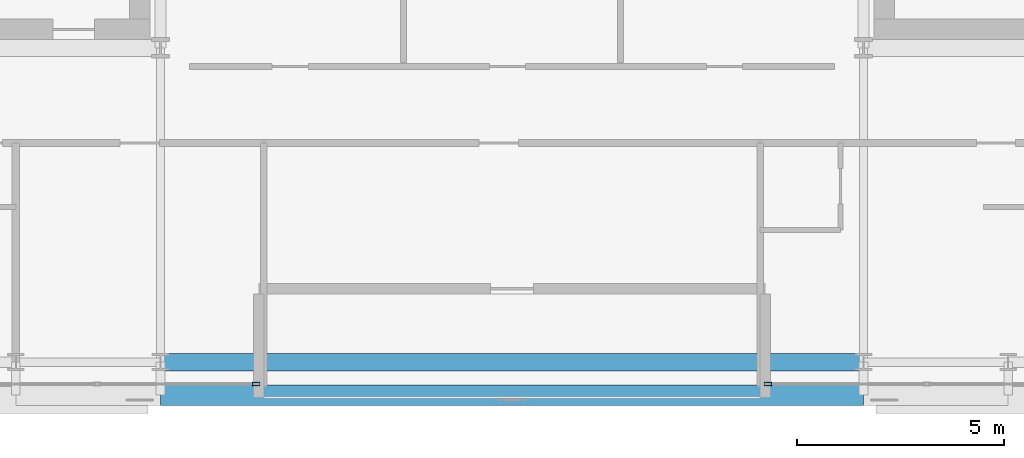
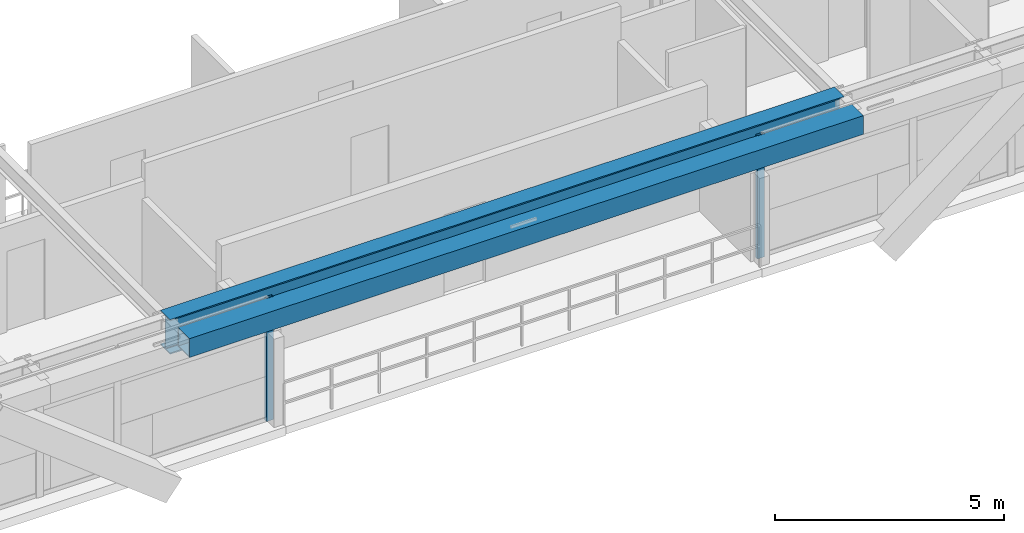
# One storey, part 6 of 32: 2 beams, 2 members, 2 elements without a shape of their own.
"""IFC4 building model written with IfcOpenShell, lengths in metres."""

import ifcopenshell
import ifcopenshell.guid

model = None  # the IFC model being written
_history = None  # IfcOwnerHistory: only IFC2X3 demands one
_inside = {}  # id of a spatial element -> (the spatial element, [elements in it])
_under = {}  # id of a project, library or spatial element -> (it, [spatial elements below it])
_declared = {}  # id of a project -> (the project, [libraries it declares])
_typed = {}  # id of a type object -> (the type object, [elements of that type])
_made_of = {}  # id of a material, layer set ... -> (it, [elements and type objects made of it])


def new_model(schema):
    """Start an empty IFC model of exactly this schema.

    Asked for "IFC4X3", IfcOpenShell would pick the latest addendum, in which some entities
    have other attributes; the version numbers below select the first issue.
    IFC2X3 requires an IfcOwnerHistory on every rooted entity: one is made here for all.
    """
    global model, _history
    if schema == "IFC4X3":
        model = ifcopenshell.file(schema_version=(4, 3, 0, 0))
    else:
        model = ifcopenshell.file(schema=schema)
    _inside.clear()
    _under.clear()
    _declared.clear()
    _typed.clear()
    _made_of.clear()
    _history = None
    if model.schema == "IFC2X3":
        org = make("IfcOrganization", Name="unknown")
        user = make(
            "IfcPersonAndOrganization",
            ThePerson=make("IfcPerson", FamilyName="unknown"),
            TheOrganization=org,
        )
        app = make(
            "IfcApplication",
            ApplicationDeveloper=org,
            Version="unknown",
            ApplicationFullName="unknown",
            ApplicationIdentifier="unknown",
        )
        _history = make(
            "IfcOwnerHistory",
            OwningUser=user,
            OwningApplication=app,
            ChangeAction="ADDED",
            CreationDate=0,
        )
    return model


def make(cls, **values):
    """One entity of the class cls with the attributes given. An attribute that is None is left unset."""
    return model.create_entity(
        cls, **{name: value for name, value in values.items() if value is not None}
    )


def rooted(cls, **values):
    """An entity with a GlobalId (a new one), such as an element, a storey or a relation."""
    return make(cls, GlobalId=ifcopenshell.guid.new(), OwnerHistory=_history, **values)


def si_unit(unit_type, name, prefix=None):
    """IfcSIUnit, for example si_unit("LENGTHUNIT", "METRE", prefix="MILLI")."""
    return make("IfcSIUnit", UnitType=unit_type, Prefix=prefix, Name=name)


def assignment(units):
    """IfcUnitAssignment: the units of a project."""
    return None if units is None else make("IfcUnitAssignment", Units=units)


def point(xyz):
    """IfcCartesianPoint."""
    return None if xyz is None else make("IfcCartesianPoint", Coordinates=xyz)


def direction(xyz):
    """IfcDirection."""
    return None if xyz is None else make("IfcDirection", DirectionRatios=xyz)


def frame(location, z_axis=None, x_axis=None):
    """IfcAxis2Placement3D, a coordinate frame: its origin and axes. An axis left out is left unset."""
    return make(
        "IfcAxis2Placement3D",
        Location=point(location),
        Axis=direction(z_axis),
        RefDirection=direction(x_axis),
    )


def frame_2d(location, x_axis=None):
    """IfcAxis2Placement2D, a coordinate frame in the plane: its origin and x axis."""
    return make(
        "IfcAxis2Placement2D", Location=point(location), RefDirection=direction(x_axis)
    )


def origin():
    """The frame at (0, 0, 0) with its axes left unset."""
    return frame((0.0, 0.0, 0.0))


def origin_2d():
    """The frame at (0, 0) in the plane with its x axis left unset."""
    return frame_2d((0.0, 0.0))


def place(relative_to, where):
    """IfcLocalPlacement: puts the frame where relative to a parent placement (None: the world)."""
    return make(
        "IfcLocalPlacement", PlacementRelTo=relative_to, RelativePlacement=where
    )


def context(
    kind, dimensions, precision=None, world=None, true_north=None, identifier=None
):
    """IfcGeometricRepresentationContext, for example the 3D "Model" context."""
    return make(
        "IfcGeometricRepresentationContext",
        ContextIdentifier=identifier,
        ContextType=kind,
        CoordinateSpaceDimension=dimensions,
        Precision=precision,
        WorldCoordinateSystem=world,
        TrueNorth=true_north,
    )


def subcontext(parent, identifier, kind, view, scale=None):
    """IfcGeometricRepresentationSubContext, for example "Body" below "Model"."""
    return make(
        "IfcGeometricRepresentationSubContext",
        ContextIdentifier=identifier,
        ContextType=kind,
        ParentContext=parent,
        TargetScale=scale,
        TargetView=view,
    )


def project(units=None, contexts=None):
    """IfcProject with its units and contexts."""
    return rooted(
        "IfcProject",
        Name="project",
        RepresentationContexts=contexts,
        UnitsInContext=assignment(units),
    )


def spatial(cls, under=None, at=None, **own):
    """A site, building, storey or space (cls), placed at a placement, below another one or the project."""
    s = rooted(cls, ObjectPlacement=at, **own)
    if under is not None:
        _under.setdefault(under.id(), (under, []))[1].append(s)
    return s


def profile(cls, at=None, kind="AREA", **sizes):
    """A parametric profile (cls). Its sizes go by their IFC names, for example OverallWidth=200.0."""
    return make(cls, ProfileType=kind, Position=at, **sizes)


def hollow_rectangle(**sizes):
    """IfcRectangleHollowProfileDef."""
    return profile("IfcRectangleHollowProfileDef", **sizes)


def i_section(**sizes):
    """IfcIShapeProfileDef."""
    return profile("IfcIShapeProfileDef", **sizes)


def extrude(swept, where, along, depth):
    """IfcExtrudedAreaSolid: the profile swept, set in the frame where, extruded along a direction by depth."""
    return make(
        "IfcExtrudedAreaSolid",
        SweptArea=swept,
        Position=where,
        ExtrudedDirection=direction(along),
        Depth=depth,
    )


def shape(context_of_items, identifier, shape_type, items):
    """IfcShapeRepresentation: the items that make up one representation, for example the "Body"."""
    return make(
        "IfcShapeRepresentation",
        ContextOfItems=context_of_items,
        RepresentationIdentifier=identifier,
        RepresentationType=shape_type,
        Items=items,
    )


def source(mapping_origin, context_of_items, identifier, shape_type, items):
    """IfcRepresentationMap: a shape defined once, which mapped items show again and again."""
    return make(
        "IfcRepresentationMap",
        MappingOrigin=mapping_origin,
        MappedRepresentation=shape(context_of_items, identifier, shape_type, items),
    )


def transform(
    local_origin,
    x_axis=None,
    y_axis=None,
    z_axis=None,
    scale=None,
    scale2=None,
    scale3=None,
    uniform=True,
):
    """IfcCartesianTransformationOperator3D, or its non-uniform kind. x_axis, y_axis, z_axis: its Axis1, 2, 3."""
    if uniform:
        return make(
            "IfcCartesianTransformationOperator3D",
            Axis1=direction(x_axis),
            Axis2=direction(y_axis),
            LocalOrigin=point(local_origin),
            Scale=scale,
            Axis3=direction(z_axis),
        )
    return make(
        "IfcCartesianTransformationOperator3DnonUniform",
        Axis1=direction(x_axis),
        Axis2=direction(y_axis),
        LocalOrigin=point(local_origin),
        Scale=scale,
        Axis3=direction(z_axis),
        Scale2=scale2,
        Scale3=scale3,
    )


def mapped(mapping_source, mapping_target):
    """IfcMappedItem: shows the shape of a source again, moved by a transform."""
    return make(
        "IfcMappedItem", MappingSource=mapping_source, MappingTarget=mapping_target
    )


def material(Name=None, Category=None):
    """IfcMaterial."""
    return make("IfcMaterial", Name=Name, Category=Category)


def layer(
    of_material, thickness, ventilated=None, Name=None, Category=None, Priority=None
):
    """IfcMaterialLayer: one layer of a wall or slab, of a material (None: an air gap)."""
    return make(
        "IfcMaterialLayer",
        Material=of_material,
        LayerThickness=thickness,
        IsVentilated=ventilated,
        Name=Name,
        Category=Category,
        Priority=Priority,
    )


def layer_set(layers, Name=None):
    """IfcMaterialLayerSet."""
    return make("IfcMaterialLayerSet", MaterialLayers=layers, LayerSetName=Name)


def material_profile(
    of_material, cross_section, Name=None, Category=None, Priority=None
):
    """IfcMaterialProfile: a cross section and its material."""
    return make(
        "IfcMaterialProfile",
        Name=Name,
        Material=of_material,
        Profile=cross_section,
        Priority=Priority,
        Category=Category,
    )


def profile_set(profiles, Name=None, composite=None):
    """IfcMaterialProfileSet."""
    return make(
        "IfcMaterialProfileSet",
        Name=Name,
        MaterialProfiles=profiles,
        CompositeProfile=composite,
    )


def made_of(thing, what):
    """Note that an element or type object is made of a material, layer set ...; save() writes the relation."""
    if what is not None:
        _made_of.setdefault(what.id(), (what, []))[1].append(thing)
    return thing


def type_object(cls, material=None, **own):
    """A type object (cls), such as IfcWallType, which elements share."""
    return made_of(rooted(cls, **own), material)


def element(
    cls,
    number,
    at=None,
    inside=None,
    cuts=None,
    type_object=None,
    material=None,
    context=None,
    identifier="Body",
    shape_type=None,
    held_by="IfcProductDefinitionShape",
    body=None,
    shapes=None,
    **own,
):
    """One element of the class cls, such as IfcWall. Its Tag is "e" and its number.

    at: its placement. inside: the storey or other place that contains it. cuts: it is an
    opening in that element (IfcRelVoidsElement). A single representation is given by context,
    identifier, shape_type and body (its items); several are given by shapes. held_by: the class
    of the entity that holds the representations. save() writes the other relations.
    """
    e = rooted(cls, Tag="e%d" % number, ObjectPlacement=at, **own)
    if body is not None:
        shapes = [shape(context, identifier, shape_type, body)]
    if shapes is not None:
        e.Representation = make(held_by, Representations=shapes)
    if inside is not None:
        _inside.setdefault(inside.id(), (inside, []))[1].append(e)
    if cuts is not None:
        rooted(
            "IfcRelVoidsElement", RelatingBuildingElement=cuts, RelatedOpeningElement=e
        )
    if type_object is not None:
        _typed.setdefault(type_object.id(), (type_object, []))[1].append(e)
    return made_of(e, material)


def aggregate(whole, parts):
    """IfcRelAggregates: a whole, such as a stair, and the parts it consists of."""
    return rooted("IfcRelAggregates", RelatingObject=whole, RelatedObjects=parts)


def save(model, path):
    """Write the relations noted so far, then the file.

    IfcRelAggregates (storeys below a building ...), IfcRelContainedInSpatialStructure (elements
    in a storey), IfcRelDefinesByType, IfcRelAssociatesMaterial and IfcRelDeclares: one each for
    every whole, place, type object, material and project.
    """
    for whole, parts in _under.values():
        aggregate(whole, parts)
    for where, things in _inside.values():
        rooted(
            "IfcRelContainedInSpatialStructure",
            RelatedElements=things,
            RelatingStructure=where,
        )
    for kind, things in _typed.values():
        rooted("IfcRelDefinesByType", RelatedObjects=things, RelatingType=kind)
    for what, things in _made_of.values():
        rooted("IfcRelAssociatesMaterial", RelatedObjects=things, RelatingMaterial=what)
    for by, libraries in _declared.values():
        rooted("IfcRelDeclares", RelatingContext=by, RelatedDefinitions=libraries)
    model.write(path)


model = new_model("IFC4")

# Units and contexts
model_context = context("Model", 3, precision=1e-05, world=origin(), true_north=direction((0.0, 1.0)))
body_context = subcontext(model_context, "Body", "Model", "MODEL_VIEW")
ifc_project = project(units=[si_unit("LENGTHUNIT", "METRE"), si_unit("AREAUNIT", "SQUARE_METRE"), si_unit("VOLUMEUNIT", "CUBIC_METRE"), si_unit("PLANEANGLEUNIT", "RADIAN"), si_unit("MASSUNIT", "GRAM", prefix="KILO")], contexts=[model_context])

# Site, building, storey
site_placement = place(None, origin())
site = spatial("IfcSite", under=ifc_project, at=site_placement, CompositionType="ELEMENT")
building_placement = place(site_placement, origin())
building = spatial("IfcBuilding", under=site, at=building_placement, Name="Ocotamira Hotel", CompositionType="ELEMENT")
storey_placement = place(building_placement, frame((0.0, 0.0, 217.199951171875)))
storey = spatial("IfcBuildingStorey", under=building, at=storey_placement, Name="L55", CompositionType="ELEMENT", Elevation=217.199951171875)

# Beams
ifc_material_1 = material(Name="Steel ASTM A992 Grade 50", Category="steel")
ifc_material_profile_1 = material_profile(ifc_material_1, i_section(OverallWidth=0.41796875, OverallDepth=0.927001953125, WebThickness=0.019287109375, FlangeThickness=0.031982421875, FilletRadius=0.02392578125, at=origin_2d()), Name="W36X231")
ifc_profile_set_1 = profile_set([ifc_material_profile_1], Name="Steel ASTM A992 Grade 50")
beam_type_1 = type_object("IfcBeamType", Name="BM-GIRD-W36X231", PredefinedType="BEAM", material=ifc_profile_set_1)
shared_shape_1 = source(origin(), body_context, "Body", "SweptSolid", [
    extrude(i_section(OverallWidth=0.41796875, OverallDepth=0.927001953125, WebThickness=0.019287109375, FlangeThickness=0.031982421875, FilletRadius=0.02392578125, at=origin_2d()), origin(), (0.0, 0.0, 1.0), 17.0),
])
beam_1_placement = place(storey_placement, frame((23.5, 6.949951171875, 2.816650390625), z_axis=(1.0, 0.0, 0.0), x_axis=(0.0, 1.0, 0.0)))
element("IfcBeam", 1, at=beam_1_placement, inside=storey, type_object=beam_type_1, Name="L55 Girder Y6.95 X23.5-40.5", PredefinedType="BEAM", context=body_context, shape_type="MappedRepresentation", body=[
    mapped(shared_shape_1, transform((0.0, 0.0, 0.0), scale=1.0)),
])
ifc_material_2 = material(Name="Steel ASTM A500 Grade C", Category="steel")
ifc_material_profile_2 = material_profile(ifc_material_2, hollow_rectangle(XDim=0.5, YDim=0.5, WallThickness=0.02001953125, at=origin_2d()), Name="HSS500X500X20")
ifc_profile_set_2 = profile_set([ifc_material_profile_2], Name="Steel ASTM A500 Grade C")
beam_type_2 = type_object("IfcBeamType", Name="BM-SPAN-HSS500", PredefinedType="USERDEFINED", material=ifc_profile_set_2)
shared_shape_2 = source(origin(), body_context, "Body", "SweptSolid", [
    extrude(hollow_rectangle(XDim=0.5, YDim=0.5, WallThickness=0.02001953125, at=origin_2d()), origin(), (0.0, 0.0, 1.0), 17.0),
])
beam_2_placement = place(storey_placement, frame((23.5, 6.14990234375, 3.030029296875), z_axis=(1.0, 0.0, 0.0), x_axis=(0.0, 1.0, 0.0)))
element("IfcBeam", 2, at=beam_2_placement, inside=storey, type_object=beam_type_2, Name="L55 Edge Spandrel S X23.5-40.5", ObjectType="SPANDREL", PredefinedType="USERDEFINED", context=body_context, shape_type="MappedRepresentation", body=[
    mapped(shared_shape_2, transform((0.0, 0.0, 0.0), scale=1.0)),
])

# Curtain wall, member
ifc_material_3 = material(Name="Anodised pale-metal aluminium and solar glass", Category="aluminium")
ifc_layer = layer(ifc_material_3, 0.199951171875)
ifc_layer_set = layer_set([ifc_layer], Name="Anodised pale-metal aluminium and solar glass")
curtain_wall_type = type_object("IfcCurtainWallType", Name="CW-SYS4-Z3", PredefinedType="NOTDEFINED", material=ifc_layer_set)
curtain_wall_1_placement = place(storey_placement, origin())
curtain_wall_1 = element("IfcCurtainWall", 3, at=curtain_wall_1_placement, inside=storey, type_object=curtain_wall_type, Name="L55 Curtain Wall CW-4 CW-L55-S1", PredefinedType="NOTDEFINED")
ifc_material_4 = material(Name="Anodised pale-metal aluminium 6063-T6", Category="aluminium")
ifc_material_profile_3 = material_profile(ifc_material_4, hollow_rectangle(XDim=0.080078125, YDim=0.179931640625, WallThickness=0.006103515625, at=origin_2d()), Name="HSS180X80X6")
ifc_profile_set_3 = profile_set([ifc_material_profile_3], Name="Anodised pale-metal aluminium 6063-T6")
member_type = type_object("IfcMemberType", Name="CWM-180X75", PredefinedType="MULLION", material=ifc_profile_set_3)
shared_shape_3 = source(origin(), body_context, "Body", "SweptSolid", [
    extrude(hollow_rectangle(XDim=0.080078125, YDim=0.179931640625, WallThickness=0.006103515625, at=origin_2d()), origin(), (0.0, 0.0, 1.0), 3.280029296875),
])
member_1_placement = place(storey_placement, frame((25.81005859375, 6.419921875, 0.0), z_axis=(0.0, 0.0, 1.0), x_axis=(0.0, 1.0, 0.0)))
member_1 = element("IfcMember", 4, at=member_1_placement, type_object=member_type, Name="CW-4 mullion 4", PredefinedType="MULLION", context=body_context, shape_type="MappedRepresentation", body=[
    mapped(shared_shape_3, transform((0.0, 0.0, 0.0), scale=1.0)),
])
aggregate(curtain_wall_1, [member_1])

curtain_wall_2_placement = place(storey_placement, origin())
curtain_wall_2 = element("IfcCurtainWall", 5, at=curtain_wall_2_placement, inside=storey, type_object=curtain_wall_type, Name="L55 Curtain Wall CW-4 CW-L55-S2", PredefinedType="NOTDEFINED")
member_2_placement = place(storey_placement, frame((38.18994140625, 6.419921875, 0.0), z_axis=(0.0, 0.0, 1.0), x_axis=(0.0, 1.0, 0.0)))
member_2 = element("IfcMember", 6, at=member_2_placement, type_object=member_type, Name="CW-4 mullion 1", PredefinedType="MULLION", context=body_context, shape_type="MappedRepresentation", body=[
    mapped(shared_shape_3, transform((0.0, 0.0, 0.0), scale=1.0)),
])
aggregate(curtain_wall_2, [member_2])

save(model, "model.ifc")
